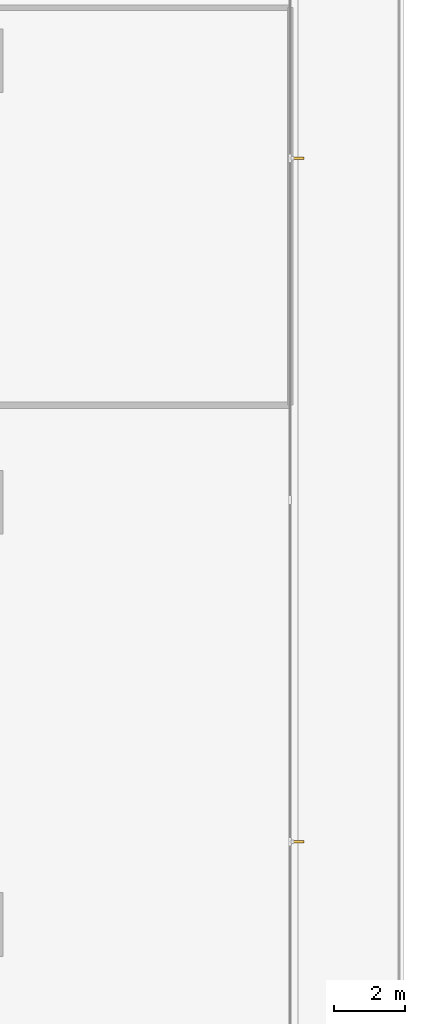
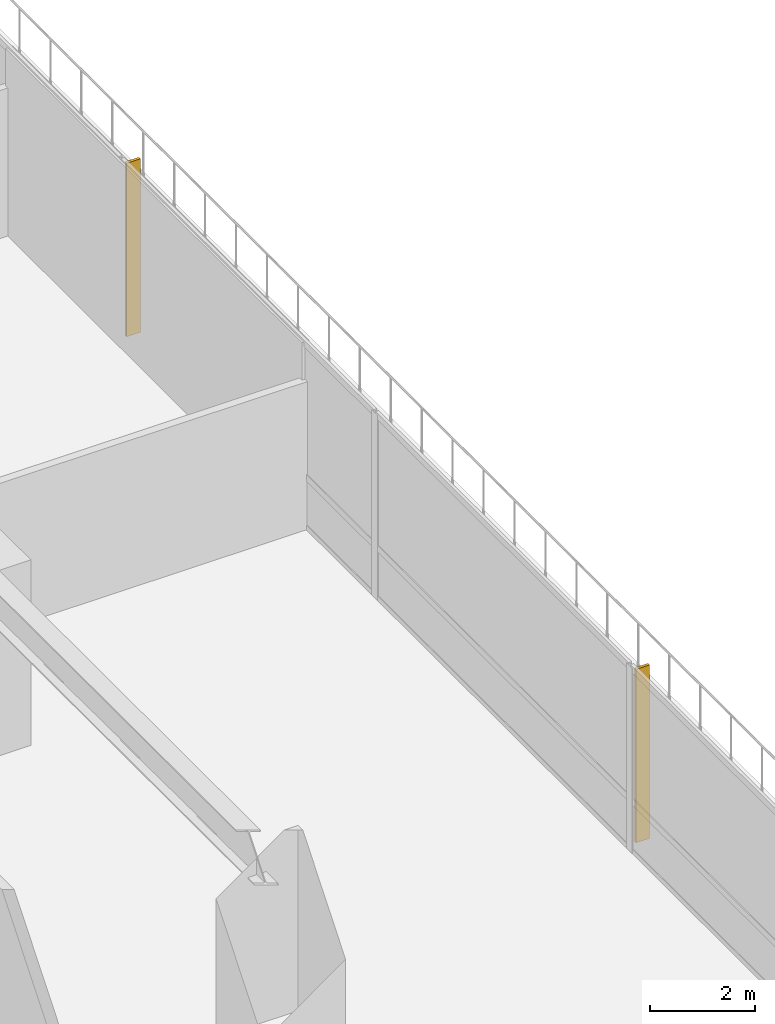
# One storey, part 23 of 24: 2 shading devices.
"""IFC4 building model written with IfcOpenShell, lengths in metres."""

from ifc_helpers import new_model, si_unit, direction, frame, origin, place, context, subcontext, project, spatial, polyline, outline, extrude, material, layer, layer_set, type_object, element, save


model = new_model("IFC4")

# Units and contexts
model_context = context("Model", 3, precision=1e-05, world=origin(), true_north=direction((0.0, 1.0)))
body_context = subcontext(model_context, "Body", "Model", "MODEL_VIEW")
ifc_project = project(units=[si_unit("LENGTHUNIT", "METRE"), si_unit("AREAUNIT", "SQUARE_METRE"), si_unit("VOLUMEUNIT", "CUBIC_METRE"), si_unit("PLANEANGLEUNIT", "RADIAN"), si_unit("MASSUNIT", "GRAM", prefix="KILO")], contexts=[model_context])

# Site, building, storey
site_placement = place(None, origin())
site = spatial("IfcSite", under=ifc_project, at=site_placement, CompositionType="ELEMENT")
building_placement = place(site_placement, origin())
building = spatial("IfcBuilding", under=site, at=building_placement, Name="Qalmaran Belvedere Hotel", CompositionType="ELEMENT")
storey_placement = place(building_placement, frame((0.0, 0.0, 14.60009765625)))
storey = spatial("IfcBuildingStorey", under=building, at=storey_placement, Name="L03", CompositionType="ELEMENT", Elevation=14.60009765625)

# Shading devices
ifc_material = material(Name="Anodised Bronze Aluminium", Category="aluminium")
ifc_layer = layer(ifc_material, 0.06494140625, Name="Anodised Bronze Aluminium")
ifc_layer_set = layer_set([ifc_layer], Name="Anodised Bronze Aluminium")
shading_device_type = type_object("IfcShadingDeviceType", Name="FIN-BRNZ-300", PredefinedType="USERDEFINED", material=ifc_layer_set)
shading_device_1_placement = place(storey_placement, frame((0.0, 0.0, 0.159912109375)))
element("IfcShadingDevice", 1, at=shading_device_1_placement, inside=storey, type_object=shading_device_type, Name="L03 Bronze Fin 1", ObjectType="FIN", PredefinedType="USERDEFINED", context=body_context, shape_type="SweptSolid", body=[
    extrude(outline(polyline([(69.87255859375, 10.859619140625), (70.172607421875, 10.859619140625), (70.172607421875, 10.924560546875), (69.87255859375, 10.924560546875), (69.87255859375, 10.859619140625)])), origin(), (0.0, 0.0, 1.0), 4.02001953125),
])
shading_device_2_placement = place(storey_placement, frame((0.0, 0.0, 0.159912109375)))
element("IfcShadingDevice", 2, at=shading_device_2_placement, inside=storey, type_object=shading_device_type, Name="L03 Bronze Fin 3", ObjectType="FIN", PredefinedType="USERDEFINED", context=body_context, shape_type="SweptSolid", body=[
    extrude(outline(polyline([(69.87255859375, 30.20361328125), (70.172607421875, 30.20361328125), (70.172607421875, 30.2685546875), (69.87255859375, 30.2685546875), (69.87255859375, 30.20361328125)])), origin(), (0.0, 0.0, 1.0), 4.02001953125),
])

save(model, "model.ifc")
